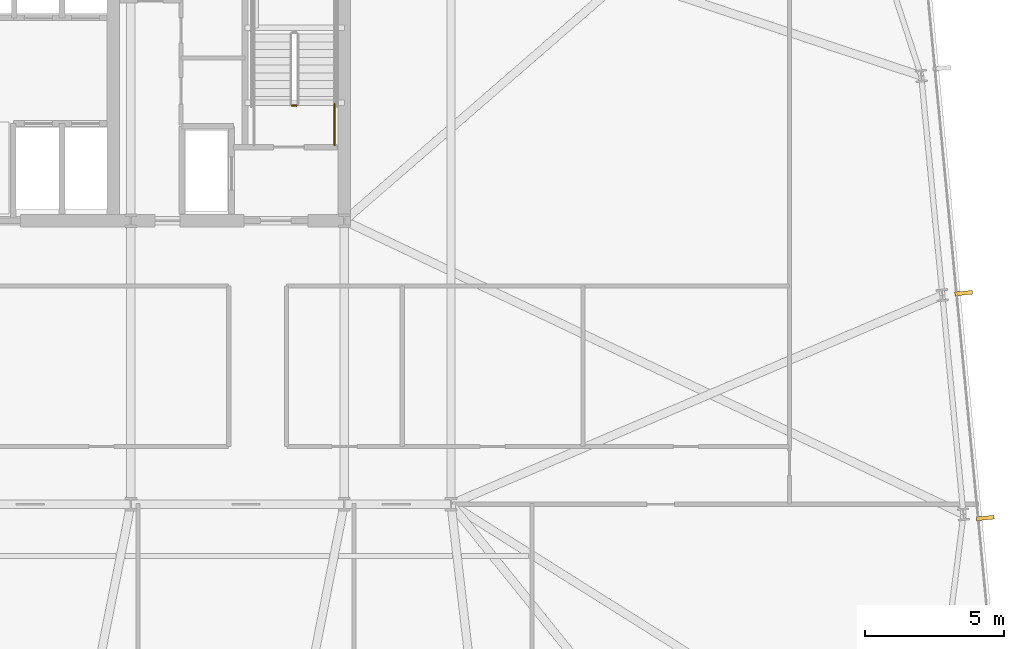
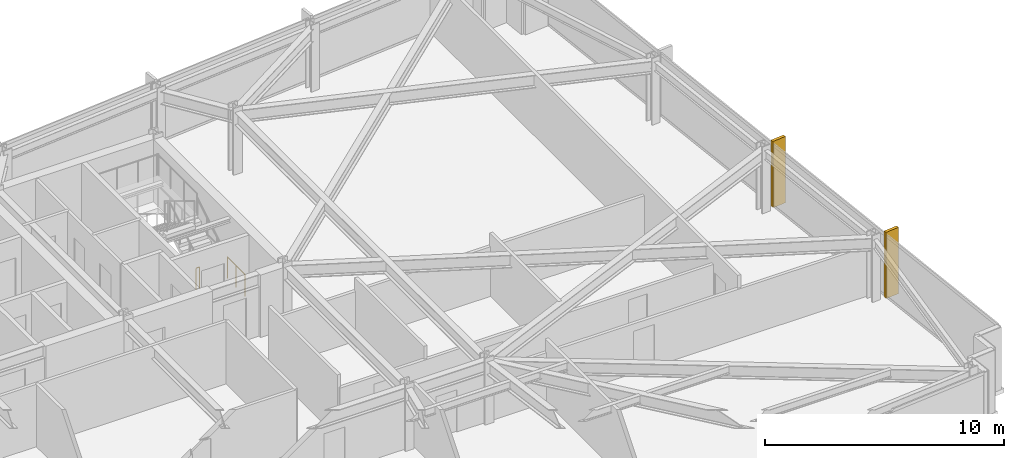
# One storey, part 30 of 32: 2 railings, 2 shading devices.
"""IFC4 building model written with IfcOpenShell, lengths in metres."""

import ifcopenshell
import ifcopenshell.guid

model = None  # the IFC model being written
_history = None  # IfcOwnerHistory: only IFC2X3 demands one
_inside = {}  # id of a spatial element -> (the spatial element, [elements in it])
_under = {}  # id of a project, library or spatial element -> (it, [spatial elements below it])
_declared = {}  # id of a project -> (the project, [libraries it declares])
_typed = {}  # id of a type object -> (the type object, [elements of that type])
_made_of = {}  # id of a material, layer set ... -> (it, [elements and type objects made of it])


def new_model(schema):
    """Start an empty IFC model of exactly this schema.

    Asked for "IFC4X3", IfcOpenShell would pick the latest addendum, in which some entities
    have other attributes; the version numbers below select the first issue.
    IFC2X3 requires an IfcOwnerHistory on every rooted entity: one is made here for all.
    """
    global model, _history
    if schema == "IFC4X3":
        model = ifcopenshell.file(schema_version=(4, 3, 0, 0))
    else:
        model = ifcopenshell.file(schema=schema)
    _inside.clear()
    _under.clear()
    _declared.clear()
    _typed.clear()
    _made_of.clear()
    _history = None
    if model.schema == "IFC2X3":
        org = make("IfcOrganization", Name="unknown")
        user = make(
            "IfcPersonAndOrganization",
            ThePerson=make("IfcPerson", FamilyName="unknown"),
            TheOrganization=org,
        )
        app = make(
            "IfcApplication",
            ApplicationDeveloper=org,
            Version="unknown",
            ApplicationFullName="unknown",
            ApplicationIdentifier="unknown",
        )
        _history = make(
            "IfcOwnerHistory",
            OwningUser=user,
            OwningApplication=app,
            ChangeAction="ADDED",
            CreationDate=0,
        )
    return model


def make(cls, **values):
    """One entity of the class cls with the attributes given. An attribute that is None is left unset."""
    return model.create_entity(
        cls, **{name: value for name, value in values.items() if value is not None}
    )


def rooted(cls, **values):
    """An entity with a GlobalId (a new one), such as an element, a storey or a relation."""
    return make(cls, GlobalId=ifcopenshell.guid.new(), OwnerHistory=_history, **values)


def si_unit(unit_type, name, prefix=None):
    """IfcSIUnit, for example si_unit("LENGTHUNIT", "METRE", prefix="MILLI")."""
    return make("IfcSIUnit", UnitType=unit_type, Prefix=prefix, Name=name)


def assignment(units):
    """IfcUnitAssignment: the units of a project."""
    return None if units is None else make("IfcUnitAssignment", Units=units)


def point(xyz):
    """IfcCartesianPoint."""
    return None if xyz is None else make("IfcCartesianPoint", Coordinates=xyz)


def direction(xyz):
    """IfcDirection."""
    return None if xyz is None else make("IfcDirection", DirectionRatios=xyz)


def frame(location, z_axis=None, x_axis=None):
    """IfcAxis2Placement3D, a coordinate frame: its origin and axes. An axis left out is left unset."""
    return make(
        "IfcAxis2Placement3D",
        Location=point(location),
        Axis=direction(z_axis),
        RefDirection=direction(x_axis),
    )


def frame_2d(location, x_axis=None):
    """IfcAxis2Placement2D, a coordinate frame in the plane: its origin and x axis."""
    return make(
        "IfcAxis2Placement2D", Location=point(location), RefDirection=direction(x_axis)
    )


def origin():
    """The frame at (0, 0, 0) with its axes left unset."""
    return frame((0.0, 0.0, 0.0))


def origin_2d():
    """The frame at (0, 0) in the plane with its x axis left unset."""
    return frame_2d((0.0, 0.0))


def place(relative_to, where):
    """IfcLocalPlacement: puts the frame where relative to a parent placement (None: the world)."""
    return make(
        "IfcLocalPlacement", PlacementRelTo=relative_to, RelativePlacement=where
    )


def context(
    kind, dimensions, precision=None, world=None, true_north=None, identifier=None
):
    """IfcGeometricRepresentationContext, for example the 3D "Model" context."""
    return make(
        "IfcGeometricRepresentationContext",
        ContextIdentifier=identifier,
        ContextType=kind,
        CoordinateSpaceDimension=dimensions,
        Precision=precision,
        WorldCoordinateSystem=world,
        TrueNorth=true_north,
    )


def subcontext(parent, identifier, kind, view, scale=None):
    """IfcGeometricRepresentationSubContext, for example "Body" below "Model"."""
    return make(
        "IfcGeometricRepresentationSubContext",
        ContextIdentifier=identifier,
        ContextType=kind,
        ParentContext=parent,
        TargetScale=scale,
        TargetView=view,
    )


def project(units=None, contexts=None):
    """IfcProject with its units and contexts."""
    return rooted(
        "IfcProject",
        Name="project",
        RepresentationContexts=contexts,
        UnitsInContext=assignment(units),
    )


def spatial(cls, under=None, at=None, **own):
    """A site, building, storey or space (cls), placed at a placement, below another one or the project."""
    s = rooted(cls, ObjectPlacement=at, **own)
    if under is not None:
        _under.setdefault(under.id(), (under, []))[1].append(s)
    return s


def profile(cls, at=None, kind="AREA", **sizes):
    """A parametric profile (cls). Its sizes go by their IFC names, for example OverallWidth=200.0."""
    return make(cls, ProfileType=kind, Position=at, **sizes)


def rectangle(**sizes):
    """IfcRectangleProfileDef."""
    return profile("IfcRectangleProfileDef", **sizes)


def circle(**sizes):
    """IfcCircleProfileDef."""
    return profile("IfcCircleProfileDef", **sizes)


def extrude(swept, where, along, depth):
    """IfcExtrudedAreaSolid: the profile swept, set in the frame where, extruded along a direction by depth."""
    return make(
        "IfcExtrudedAreaSolid",
        SweptArea=swept,
        Position=where,
        ExtrudedDirection=direction(along),
        Depth=depth,
    )


def shape(context_of_items, identifier, shape_type, items):
    """IfcShapeRepresentation: the items that make up one representation, for example the "Body"."""
    return make(
        "IfcShapeRepresentation",
        ContextOfItems=context_of_items,
        RepresentationIdentifier=identifier,
        RepresentationType=shape_type,
        Items=items,
    )


def material(Name=None, Category=None):
    """IfcMaterial."""
    return make("IfcMaterial", Name=Name, Category=Category)


def layer(
    of_material, thickness, ventilated=None, Name=None, Category=None, Priority=None
):
    """IfcMaterialLayer: one layer of a wall or slab, of a material (None: an air gap)."""
    return make(
        "IfcMaterialLayer",
        Material=of_material,
        LayerThickness=thickness,
        IsVentilated=ventilated,
        Name=Name,
        Category=Category,
        Priority=Priority,
    )


def layer_set(layers, Name=None):
    """IfcMaterialLayerSet."""
    return make("IfcMaterialLayerSet", MaterialLayers=layers, LayerSetName=Name)


def made_of(thing, what):
    """Note that an element or type object is made of a material, layer set ...; save() writes the relation."""
    if what is not None:
        _made_of.setdefault(what.id(), (what, []))[1].append(thing)
    return thing


def type_object(cls, material=None, **own):
    """A type object (cls), such as IfcWallType, which elements share."""
    return made_of(rooted(cls, **own), material)


def element(
    cls,
    number,
    at=None,
    inside=None,
    cuts=None,
    type_object=None,
    material=None,
    context=None,
    identifier="Body",
    shape_type=None,
    held_by="IfcProductDefinitionShape",
    body=None,
    shapes=None,
    **own,
):
    """One element of the class cls, such as IfcWall. Its Tag is "e" and its number.

    at: its placement. inside: the storey or other place that contains it. cuts: it is an
    opening in that element (IfcRelVoidsElement). A single representation is given by context,
    identifier, shape_type and body (its items); several are given by shapes. held_by: the class
    of the entity that holds the representations. save() writes the other relations.
    """
    e = rooted(cls, Tag="e%d" % number, ObjectPlacement=at, **own)
    if body is not None:
        shapes = [shape(context, identifier, shape_type, body)]
    if shapes is not None:
        e.Representation = make(held_by, Representations=shapes)
    if inside is not None:
        _inside.setdefault(inside.id(), (inside, []))[1].append(e)
    if cuts is not None:
        rooted(
            "IfcRelVoidsElement", RelatingBuildingElement=cuts, RelatedOpeningElement=e
        )
    if type_object is not None:
        _typed.setdefault(type_object.id(), (type_object, []))[1].append(e)
    return made_of(e, material)


def aggregate(whole, parts):
    """IfcRelAggregates: a whole, such as a stair, and the parts it consists of."""
    return rooted("IfcRelAggregates", RelatingObject=whole, RelatedObjects=parts)


def save(model, path):
    """Write the relations noted so far, then the file.

    IfcRelAggregates (storeys below a building ...), IfcRelContainedInSpatialStructure (elements
    in a storey), IfcRelDefinesByType, IfcRelAssociatesMaterial and IfcRelDeclares: one each for
    every whole, place, type object, material and project.
    """
    for whole, parts in _under.values():
        aggregate(whole, parts)
    for where, things in _inside.values():
        rooted(
            "IfcRelContainedInSpatialStructure",
            RelatedElements=things,
            RelatingStructure=where,
        )
    for kind, things in _typed.values():
        rooted("IfcRelDefinesByType", RelatedObjects=things, RelatingType=kind)
    for what, things in _made_of.values():
        rooted("IfcRelAssociatesMaterial", RelatedObjects=things, RelatingMaterial=what)
    for by, libraries in _declared.values():
        rooted("IfcRelDeclares", RelatingContext=by, RelatedDefinitions=libraries)
    model.write(path)


model = new_model("IFC4")

# Units and contexts
model_context = context("Model", 3, precision=1e-05, world=origin(), true_north=direction((0.0, 1.0)))
body_context = subcontext(model_context, "Body", "Model", "MODEL_VIEW")
ifc_project = project(units=[si_unit("LENGTHUNIT", "METRE"), si_unit("AREAUNIT", "SQUARE_METRE"), si_unit("VOLUMEUNIT", "CUBIC_METRE"), si_unit("PLANEANGLEUNIT", "RADIAN"), si_unit("MASSUNIT", "GRAM", prefix="KILO")], contexts=[model_context])

# Site, building, storey
site_placement = place(None, origin())
site = spatial("IfcSite", under=ifc_project, at=site_placement, CompositionType="ELEMENT")
building_placement = place(site_placement, origin())
building = spatial("IfcBuilding", under=site, at=building_placement, Name="Yelkora Congress Tower", CompositionType="ELEMENT")
storey_placement = place(building_placement, frame((0.0, 0.0, 93.10009765625)))
storey = spatial("IfcBuildingStorey", under=building, at=storey_placement, Name="L24", CompositionType="ELEMENT", Elevation=93.10009765625)

# Railings
ifc_material_1 = material(Name="Painted galvanised steel stair well guard with vertical infill", Category="steel")
ifc_layer_1 = layer(ifc_material_1, 0.06005859375)
ifc_layer_set_1 = layer_set([ifc_layer_1], Name="Painted galvanised steel stair well guard with vertical infill")
railing_type = type_object("IfcRailingType", Name="RAIL-STAIR-GUARD-1120", PredefinedType="GUARDRAIL", material=ifc_layer_set_1)
railing_1_placement = place(storey_placement, frame((52.0400390625, 39.550048828125, 0.0)))
element("IfcRailing", 1, at=railing_1_placement, inside=storey, type_object=railing_type, Name="ST-02 L24 Stair Well Guardrail 7", PredefinedType="GUARDRAIL", context=body_context, shape_type="SweptSolid", body=[
    extrude(circle(Radius=0.02392578125, at=origin_2d()), frame((0.0, 0.0, 1.09619140625), z_axis=(-1.0, 0.0, 0.0), x_axis=(0.0, -1.0, 0.0)), (0.0, 0.0, 1.0), 0.16015625),
    extrude(circle(Radius=0.02099609375, at=origin_2d()), origin(), (0.0, 0.0, 1.0), 1.072021484375),
    extrude(circle(Radius=0.02099609375, at=origin_2d()), frame((-0.16015625, 0.0, 0.0)), (0.0, 0.0, 1.0), 1.072021484375),
])
railing_2_placement = place(storey_placement, frame((53.409912109375, 38.1201171875, 0.0)))
element("IfcRailing", 2, at=railing_2_placement, inside=storey, type_object=railing_type, Name="ST-02 L24 Stair Well Guardrail 8", PredefinedType="GUARDRAIL", context=body_context, shape_type="SweptSolid", body=[
    extrude(circle(Radius=0.02392578125, at=origin_2d()), frame((0.0, 0.0, 1.09619140625), z_axis=(0.0, 1.0, 0.0), x_axis=(-1.0, 0.0, 0.0)), (0.0, 0.0, 1.0), 1.47998046875),
    extrude(circle(Radius=0.02099609375, at=origin_2d()), origin(), (0.0, 0.0, 1.0), 1.072021484375),
    extrude(circle(Radius=0.02099609375, at=origin_2d()), frame((0.0, 0.739990234375, 0.0)), (0.0, 0.0, 1.0), 1.072021484375),
    extrude(circle(Radius=0.02099609375, at=origin_2d()), frame((0.0, 1.47998046875, 0.0)), (0.0, 0.0, 1.0), 1.072021484375),
])

# Shading devices
ifc_material_2 = material(Name="Champagne anodised aluminium", Category="aluminium")
ifc_layer_2 = layer(ifc_material_2, 3.39990234375)
ifc_layer_set_2 = layer_set([ifc_layer_2], Name="Champagne anodised aluminium")
shading_device_type = type_object("IfcShadingDeviceType", Name="SHD-FIN-ALU-640", PredefinedType="USERDEFINED", material=ifc_layer_set_2)
for number, where, z_axis, x_axis, name in (
    (3, (76.048095703125, 32.7958984375, -0.030029296875), (0.0, 0.0, 1.0), (0.09584575252, -0.995396198367, 0.0), "L24 Vertical Anodised Solar Fin 15-2"),
    (4, (76.827392578125, 24.703125, -0.030029296875), (0.0, 0.0, 1.0), (0.09584575252, -0.995396198367, 0.0), "L24 Vertical Anodised Solar Fin 15-3"),
):
    element("IfcShadingDevice", number, at=place(storey_placement, frame(where, z_axis=z_axis, x_axis=x_axis)), inside=storey, type_object=shading_device_type, Name=name, ObjectType="FIN", PredefinedType="USERDEFINED", context=body_context, shape_type="SweptSolid", body=[
        extrude(rectangle(XDim=0.139892578125, YDim=0.639892578125, at=origin_2d()), origin(), (0.0, 0.0, 1.0), 3.3798828125),
    ])

save(model, "model.ifc")
